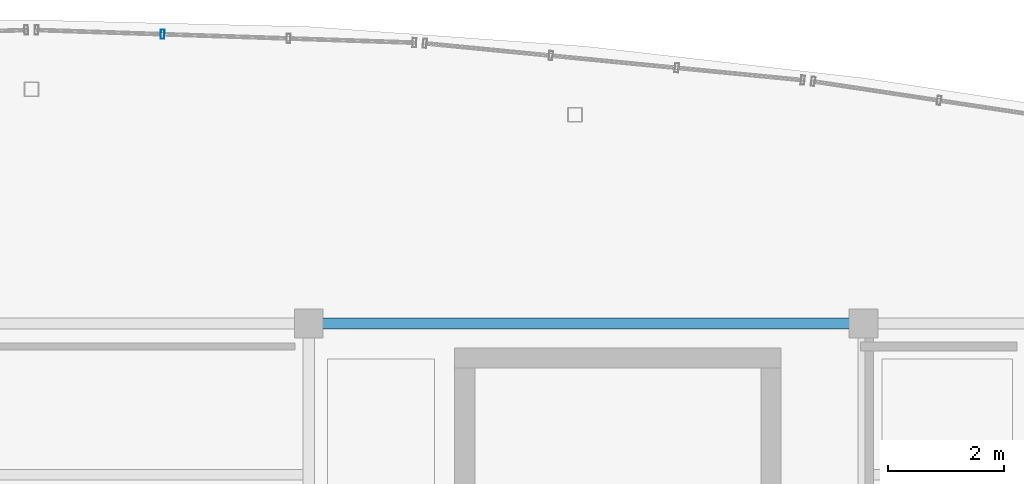
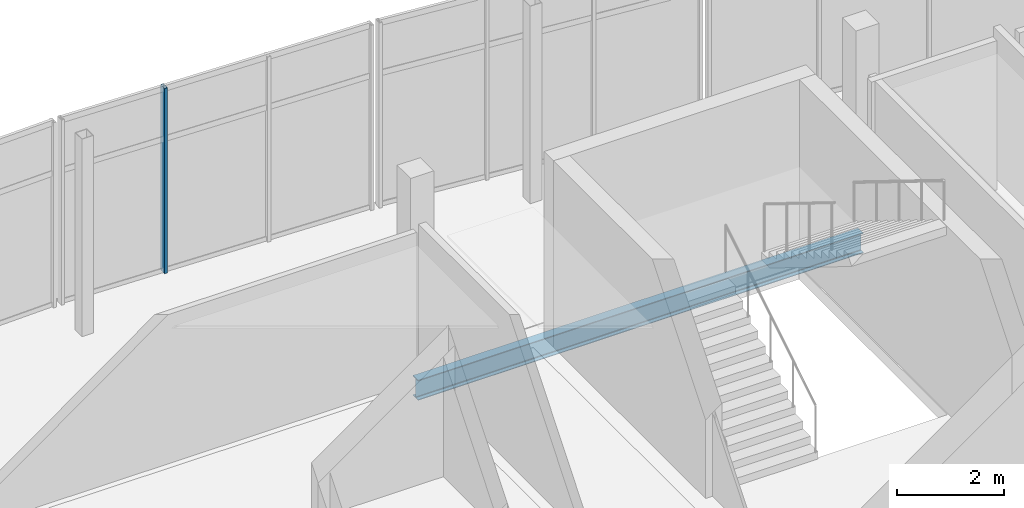
# One storey, part 72 of 114: 1 beam, 1 member, 1 element without a shape of its own.
"""IFC4 building model written with IfcOpenShell, lengths in metres."""

from ifc_helpers import new_model, si_unit, direction, frame, origin, origin_2d, place, context, subcontext, project, spatial, hollow_rectangle, i_section, extrude, material, layer, layer_set, material_profile, profile_set, type_object, element, aggregate, save


model = new_model("IFC4")

# Units and contexts
model_context = context("Model", 3, precision=1e-05, world=origin(), true_north=direction((0.0, 1.0)))
body_context = subcontext(model_context, "Body", "Model", "MODEL_VIEW")
ifc_project = project(units=[si_unit("LENGTHUNIT", "METRE"), si_unit("AREAUNIT", "SQUARE_METRE"), si_unit("VOLUMEUNIT", "CUBIC_METRE"), si_unit("PLANEANGLEUNIT", "RADIAN"), si_unit("MASSUNIT", "GRAM", prefix="KILO")], contexts=[model_context])

# Site, building, storey
site_placement = place(None, origin())
site = spatial("IfcSite", under=ifc_project, at=site_placement, CompositionType="ELEMENT")
building_placement = place(site_placement, origin())
building = spatial("IfcBuilding", under=site, at=building_placement, Name="Chalmorin Arch Market", CompositionType="ELEMENT")
storey_placement = place(building_placement, frame((0.0, 0.0, 9.60009765625)))
storey = spatial("IfcBuildingStorey", under=building, at=storey_placement, Name="L02", CompositionType="ELEMENT", Elevation=9.60009765625)

# Curtain wall, member
ifc_material_1 = material(Name="Aluminium 6063-T6", Category="aluminium")
ifc_layer = layer(ifc_material_1, 0.159912109375)
ifc_layer_set = layer_set([ifc_layer], Name="Aluminium 6063-T6")
curtain_wall_type = type_object("IfcCurtainWallType", Name="CulinaryStudioCurtainWall-CW3-6540x4220", PredefinedType="NOTDEFINED", material=ifc_layer_set)
curtain_wall_placement = place(storey_placement, origin())
curtain_wall = element("IfcCurtainWall", 1, at=curtain_wall_placement, inside=storey, type_object=curtain_wall_type, Name="CW-03-137", PredefinedType="NOTDEFINED")
ifc_material_profile_1 = material_profile(ifc_material_1, hollow_rectangle(XDim=0.06494140625, YDim=0.159912109375, WallThickness=0.00390625, at=origin_2d()), Name="ALU65X160X4")
ifc_profile_set_1 = profile_set([ifc_material_profile_1], Name="Aluminium 6063-T6")
member_type = type_object("IfcMemberType", Name="CurtainWallMullion-65x160", PredefinedType="MULLION", material=ifc_profile_set_1)
member_placement = place(storey_placement, frame((83.8701171875, 123.00390625, 0.0), z_axis=(0.0, 0.0, 1.0), x_axis=(0.999390827019, -0.034899496703, 0.0)))
member = element("IfcMember", 2, at=member_placement, type_object=member_type, Name="ML-137-02", PredefinedType="MULLION", context=body_context, shape_type="SweptSolid", body=[
    extrude(hollow_rectangle(XDim=0.06494140625, YDim=0.159912109375, WallThickness=0.00390625, at=origin_2d()), origin(), (0.0, 0.0, 1.0), 4.219970703125),
])
aggregate(curtain_wall, [member])

# Beam
ifc_material_2 = material(Name="Steel A992 Grade 50", Category="steel")
ifc_material_profile_2 = material_profile(ifc_material_2, i_section(OverallWidth=0.19091796875, OverallDepth=0.45703125, WebThickness=0.009033203125, FlangeThickness=0.014404296875, FilletRadius=0.02001953125, at=origin_2d()), Name="W18X50")
ifc_profile_set_2 = profile_set([ifc_material_profile_2], Name="Steel A992 Grade 50")
beam_type = type_object("IfcBeamType", Name="PerimeterSpandrelBeam-W18X50", PredefinedType="SPANDREL", material=ifc_profile_set_2)
beam_placement = place(storey_placement, frame((86.39990234375, 118.0, -0.510498046875), z_axis=(1.0, 0.0, 0.0), x_axis=(0.0, 1.0, 0.0)))
element("IfcBeam", 3, at=beam_placement, inside=storey, type_object=beam_type, Name="SP-W18-1277", PredefinedType="SPANDREL", context=body_context, shape_type="SweptSolid", body=[
    extrude(i_section(OverallWidth=0.19091796875, OverallDepth=0.45703125, WebThickness=0.009033203125, FlangeThickness=0.014404296875, FilletRadius=0.02001953125, at=origin_2d()), origin(), (0.0, 0.0, 1.0), 9.60009765625),
])

save(model, "model.ifc")
